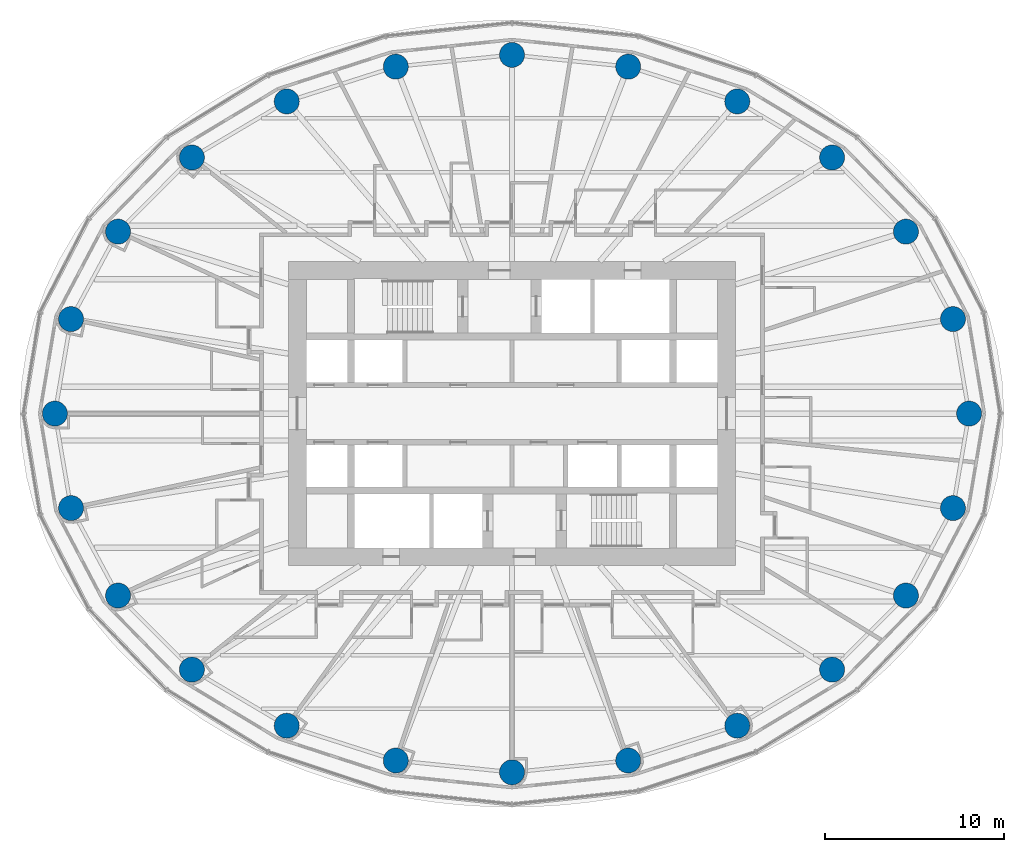
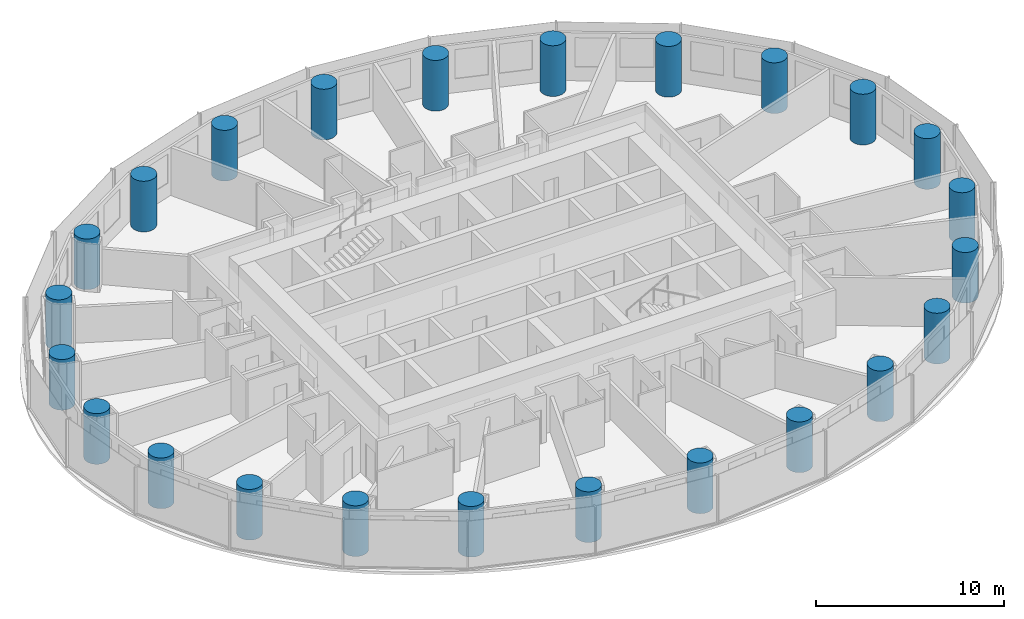
# One storey, part 1 of 14: 24 columns.
"""IFC4 building model written with IfcOpenShell, lengths in metres."""

from ifc_helpers import new_model, si_unit, direction, frame, origin, origin_2d, place, context, subcontext, project, spatial, circle, extrude, material, material_profile, profile_set, type_object, element, save


model = new_model("IFC4")

# Units and contexts
model_context = context("Model", 3, precision=1e-05, world=origin(), true_north=direction((0.0, 1.0)))
body_context = subcontext(model_context, "Body", "Model", "MODEL_VIEW")
ifc_project = project(units=[si_unit("LENGTHUNIT", "METRE"), si_unit("AREAUNIT", "SQUARE_METRE"), si_unit("VOLUMEUNIT", "CUBIC_METRE"), si_unit("PLANEANGLEUNIT", "RADIAN"), si_unit("MASSUNIT", "GRAM", prefix="KILO")], contexts=[model_context])

# Site, building, storey
site_placement = place(None, origin())
site = spatial("IfcSite", under=ifc_project, at=site_placement, CompositionType="ELEMENT")
building_placement = place(site_placement, origin())
building = spatial("IfcBuilding", under=site, at=building_placement, Name="Hankou Lantern Tower", CompositionType="ELEMENT")
storey_placement = place(building_placement, frame((0.0, 0.0, 57.300048828125)))
storey = spatial("IfcBuildingStorey", under=building, at=storey_placement, Name="L13", CompositionType="ELEMENT", Elevation=57.300048828125)

# Columns
ifc_material = material(Name="Concrete C60", Category="concrete")
ifc_material_profile = material_profile(ifc_material, circle(Radius=0.699951171875, at=origin_2d()), Name="RC D1400")
ifc_profile_set = profile_set([ifc_material_profile], Name="Concrete C60")
column_type = type_object("IfcColumnType", Name="TC2 PERIMETER COLUMN RC D1400", PredefinedType="COLUMN", material=ifc_profile_set)
for number, where, z_axis, x_axis, name in (
    (1, (25.550048828125, 0.0, 0.0), (0.0, 0.0, 1.0), (1.0, 0.0, 0.0), "Column R01 L13"),
    (2, (24.64697265625, 5.283203125, 0.0), (0.0, 0.0, 1.0), (1.0, 0.0, 0.0), "Column R02 L13"),
    (3, (22.01904296875, 10.170166015625, 0.0), (0.0, 0.0, 1.0), (1.0, 0.0, 0.0), "Column R03 L13"),
    (4, (17.891845703125, 14.3134765625, 0.0), (0.0, 0.0, 1.0), (1.0, 0.0, 0.0), "Column R04 L13"),
    (5, (12.5908203125, 17.446533203125, 0.0), (0.0, 0.0, 1.0), (1.0, 0.0, 0.0), "Column R05 L13"),
    (6, (6.494873046875, 19.391357421875, 0.0), (0.0, 0.0, 1.0), (1.0, 0.0, 0.0), "Column R06 L13"),
    (7, (0.0, 20.050048828125, 0.0), (0.0, 0.0, 1.0), (1.0, 0.0, 0.0), "Column R07 L13"),
    (8, (-6.494873046875, 19.391357421875, 0.0), (0.0, 0.0, 1.0), (1.0, 0.0, 0.0), "Column R08 L13"),
    (9, (-12.5908203125, 17.446533203125, 0.0), (0.0, 0.0, 1.0), (1.0, 0.0, 0.0), "Column R09 L13"),
    (10, (-17.891845703125, 14.3134765625, 0.0), (0.0, 0.0, 1.0), (1.0, 0.0, 0.0), "Column R10 L13"),
    (11, (-22.01904296875, 10.170166015625, 0.0), (0.0, 0.0, 1.0), (1.0, 0.0, 0.0), "Column R11 L13"),
    (12, (-24.64697265625, 5.283203125, 0.0), (0.0, 0.0, 1.0), (1.0, 0.0, 0.0), "Column R12 L13"),
    (13, (-25.550048828125, 0.0, 0.0), (0.0, 0.0, 1.0), (1.0, 0.0, 0.0), "Column R13 L13"),
    (14, (-24.64697265625, -5.283203125, 0.0), (0.0, 0.0, 1.0), (1.0, 0.0, 0.0), "Column R14 L13"),
    (15, (-22.01904296875, -10.170166015625, 0.0), (0.0, 0.0, 1.0), (1.0, 0.0, 0.0), "Column R15 L13"),
    (16, (-17.891845703125, -14.3134765625, 0.0), (0.0, 0.0, 1.0), (1.0, 0.0, 0.0), "Column R16 L13"),
    (17, (-12.5908203125, -17.446533203125, 0.0), (0.0, 0.0, 1.0), (1.0, 0.0, 0.0), "Column R17 L13"),
    (18, (-6.494873046875, -19.391357421875, 0.0), (0.0, 0.0, 1.0), (1.0, 0.0, 0.0), "Column R18 L13"),
    (19, (0.0, -20.050048828125, 0.0), (0.0, 0.0, 1.0), (1.0, 0.0, 0.0), "Column R19 L13"),
    (20, (6.494873046875, -19.391357421875, 0.0), (0.0, 0.0, 1.0), (1.0, 0.0, 0.0), "Column R20 L13"),
    (21, (12.5908203125, -17.446533203125, 0.0), (0.0, 0.0, 1.0), (1.0, 0.0, 0.0), "Column R21 L13"),
    (22, (17.891845703125, -14.3134765625, 0.0), (0.0, 0.0, 1.0), (1.0, 0.0, 0.0), "Column R22 L13"),
    (23, (22.01904296875, -10.170166015625, 0.0), (0.0, 0.0, 1.0), (1.0, 0.0, 0.0), "Column R23 L13"),
    (24, (24.64697265625, -5.283203125, 0.0), (0.0, 0.0, 1.0), (1.0, 0.0, 0.0), "Column R24 L13"),
):
    element("IfcColumn", number, at=place(storey_placement, frame(where, z_axis=z_axis, x_axis=x_axis)), inside=storey, type_object=column_type, Name=name, PredefinedType="COLUMN", context=body_context, shape_type="SweptSolid", body=[
        extrude(circle(Radius=0.699951171875, at=origin_2d()), origin(), (0.0, 0.0, 1.0), 3.300048828125),
    ])

save(model, "model.ifc")
